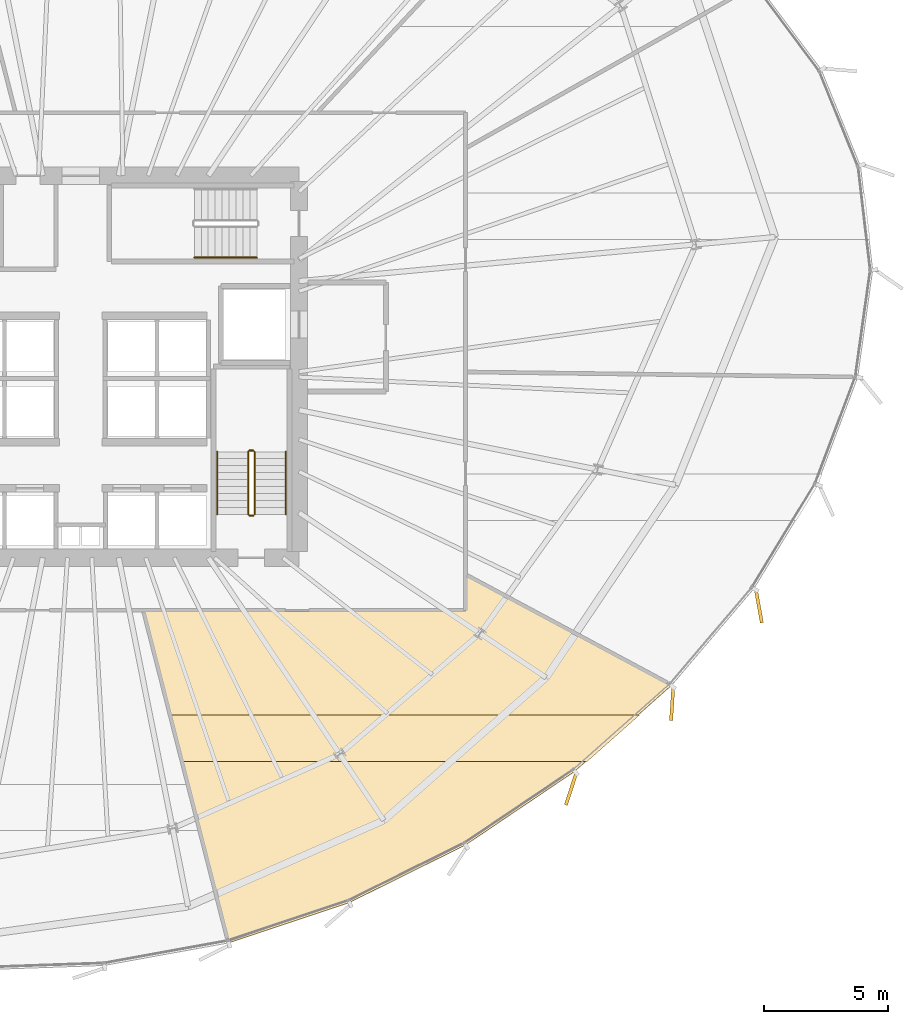
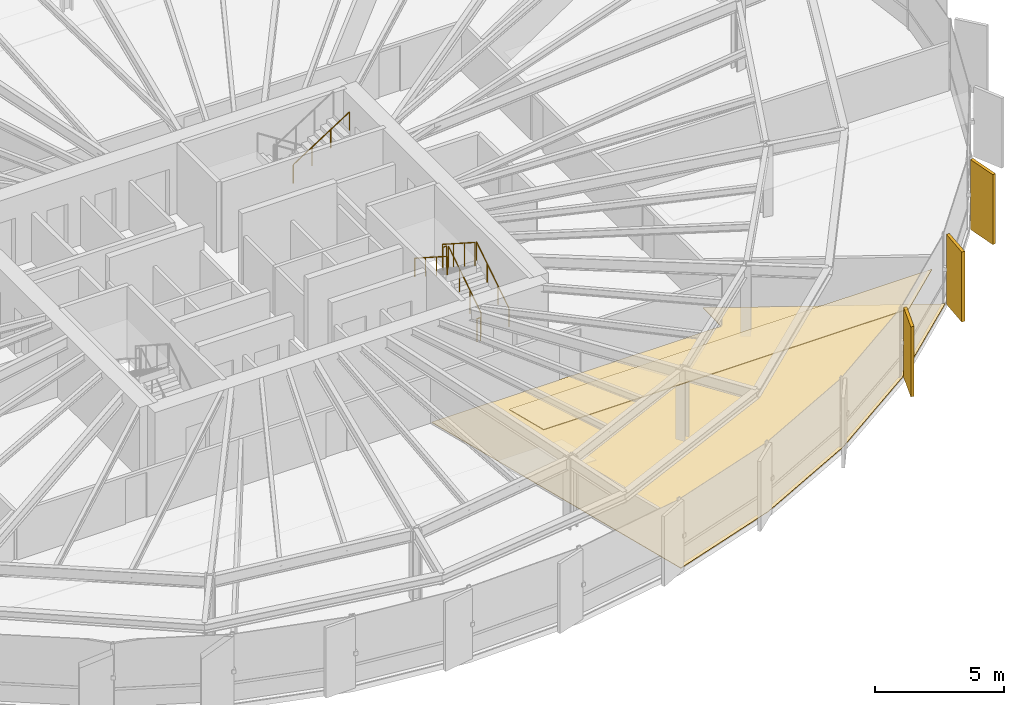
# One storey, part 33 of 35: 7 railings, 5 coverings.
"""IFC4 building model written with IfcOpenShell, lengths in metres."""

from ifc_helpers import new_model, si_unit, direction, frame, origin, origin_2d, place, context, subcontext, project, spatial, polyline, rectangle, circle, outline, extrude, source, transform, mapped, material, layer, layer_set, type_object, element, save


model = new_model("IFC4")

# Units and contexts
model_context = context("Model", 3, precision=1e-05, world=origin(), true_north=direction((0.0, 1.0)))
body_context = subcontext(model_context, "Body", "Model", "MODEL_VIEW")
ifc_project = project(units=[si_unit("LENGTHUNIT", "METRE"), si_unit("AREAUNIT", "SQUARE_METRE"), si_unit("VOLUMEUNIT", "CUBIC_METRE"), si_unit("PLANEANGLEUNIT", "RADIAN"), si_unit("MASSUNIT", "GRAM", prefix="KILO"), si_unit("THERMODYNAMICTEMPERATUREUNIT", "KELVIN")], contexts=[model_context])

# Site, building, storey
site_placement = place(None, origin())
site = spatial("IfcSite", under=ifc_project, at=site_placement, CompositionType="ELEMENT")
building_placement = place(site_placement, origin())
building = spatial("IfcBuilding", under=site, at=building_placement, Name="Kethvar Cultural Tower", CompositionType="ELEMENT")
storey_placement = place(building_placement, frame((0.0, 0.0, 92.800048828125)))
storey = spatial("IfcBuildingStorey", under=building, at=storey_placement, Name="L22", CompositionType="ELEMENT", Elevation=92.800048828125)

# Coverings
ifc_material_1 = material(Name="Acoustic Mineral Fibre Ceiling")
ifc_layer_1 = layer(ifc_material_1, 0.0400390625, Name="Acoustic Mineral Fibre Ceiling")
ifc_layer_set_1 = layer_set([ifc_layer_1], Name="Acoustic Mineral Fibre Ceiling (40 mm)")
covering_type_1 = type_object("IfcCoveringType", Name="CV-ACOUSTIC-CEIL", PredefinedType="CEILING", material=ifc_layer_set_1)
covering_1_placement = place(storey_placement, frame((0.0, 0.0, 2.780029296875)))
element("IfcCovering", 1, at=covering_1_placement, inside=storey, type_object=covering_type_1, Name="L22 Room 03 Acoustic Ceiling Panel", PredefinedType="CEILING", context=body_context, shape_type="SweptSolid", body=[
    extrude(outline(polyline([(50.385009765625, 13.75732421875), (69.330322265625, 13.75732421875), (67.22216796875, 11.88720703125), (50.864990234375, 11.88720703125), (50.385009765625, 13.75732421875)])), origin(), (0.0, 0.0, 1.0), 0.0400390625),
])
ifc_material_2 = material(Name="Architectural Oak Timber", Category="wood")
ifc_layer_2 = layer(ifc_material_2, 0.02490234375, Name="Architectural Oak Timber", Category="wood")
ifc_layer_set_2 = layer_set([ifc_layer_2], Name="Architectural Oak Timber (25 mm)")
covering_type_2 = type_object("IfcCoveringType", Name="CV-OAK-FLOOR", PredefinedType="FLOORING", material=ifc_layer_set_2)
covering_2_placement = place(storey_placement, origin())
element("IfcCovering", 2, at=covering_2_placement, inside=storey, type_object=covering_type_2, Name="L22 Room 03 Floor Finish", PredefinedType="FLOORING", context=body_context, shape_type="SweptSolid", body=[
    extrude(outline(polyline([(66.6845703125, 11.4638671875), (62.310302734375, 8.51611328125), (57.63427734375, 6.197998046875), (52.783203125, 4.577880859375), (49.34716796875, 17.9599609375), (62.31201171875, 17.960205078125), (62.330078125, 19.392578125), (70.593505859375, 14.930908203125), (66.6845703125, 11.4638671875)])), origin(), (0.0, 0.0, 1.0), 0.02490234375),
])

# Railings
ifc_material_3 = material(Name="Steel S355J2", Category="steel")
railing_type_1 = type_object("IfcRailingType", Name="RL-STAIR-GUARD", PredefinedType="BALUSTRADE", material=ifc_material_3)
railing_1_placement = place(storey_placement, frame((53.81005859375, 21.85009765625, 0.179931640625)))
element("IfcRailing", 3, at=railing_1_placement, inside=storey, type_object=railing_type_1, Name="L22 ST-02 stair guard 1", PredefinedType="BALUSTRADE", context=body_context, shape_type="SweptSolid", body=[
    extrude(circle(Radius=0.02392578125, at=origin_2d()), frame((0.0, 0.0, 1.09619140625), z_axis=(0.0, 0.841162588446, 0.540782303519), x_axis=(-1.0, 0.0, 0.0)), (0.0, 0.0, 1.0), 2.995849609375),
    extrude(circle(Radius=0.02099609375, at=origin_2d()), origin(), (0.0, 0.0, 1.0), 1.072021484375),
    extrude(circle(Radius=0.02099609375, at=origin_2d()), frame((0.0, 0.840087890625, 0.5400390625)), (0.0, 0.0, 1.0), 1.072021484375),
    extrude(circle(Radius=0.02099609375, at=origin_2d()), frame((0.0, 1.679931640625, 1.080078125)), (0.0, 0.0, 1.0), 1.072021484375),
    extrude(circle(Radius=0.02099609375, at=origin_2d()), frame((0.0, 2.52001953125, 1.6201171875)), (0.0, 0.0, 1.0), 1.072021484375),
])
railing_2_placement = place(storey_placement, frame((53.760009765625, 24.419921875, 1.800048828125)))
element("IfcRailing", 4, at=railing_2_placement, inside=storey, type_object=railing_type_1, Name="L22 ST-02 stair guard 2", PredefinedType="BALUSTRADE", context=body_context, shape_type="SweptSolid", body=[
    extrude(circle(Radius=0.02392578125, at=origin_2d()), frame((0.0, 0.0, 1.09619140625), z_axis=(-1.0, 0.0, 0.0), x_axis=(0.0, -1.0, 0.0)), (0.0, 0.0, 1.0), 0.159912109375),
    extrude(circle(Radius=0.02099609375, at=origin_2d()), origin(), (0.0, 0.0, 1.0), 1.072021484375),
    extrude(circle(Radius=0.02099609375, at=origin_2d()), frame((-0.159912109375, 0.0, 0.0)), (0.0, 0.0, 1.0), 1.072021484375),
])
railing_3_placement = place(storey_placement, frame((53.550048828125, 24.3701171875, 1.97998046875)))
element("IfcRailing", 5, at=railing_3_placement, inside=storey, type_object=railing_type_1, Name="L22 ST-02 stair guard 3", PredefinedType="BALUSTRADE", context=body_context, shape_type="SweptSolid", body=[
    extrude(circle(Radius=0.02392578125, at=origin_2d()), frame((0.0, 0.0, 1.09619140625), z_axis=(0.0, -0.841199657755, 0.540724639528), x_axis=(1.0, 0.0, 0.0)), (0.0, 0.0, 1.0), 2.995849609375),
    extrude(circle(Radius=0.02099609375, at=origin_2d()), origin(), (0.0, 0.0, 1.0), 1.072021484375),
    extrude(circle(Radius=0.02099609375, at=origin_2d()), frame((0.0, -0.840087890625, 0.5400390625)), (0.0, 0.0, 1.0), 1.072021484375),
    extrude(circle(Radius=0.02099609375, at=origin_2d()), frame((0.0, -1.679931640625, 1.079833984375)), (0.0, 0.0, 1.0), 1.072021484375),
    extrude(circle(Radius=0.02099609375, at=origin_2d()), frame((0.0, -2.52001953125, 1.619873046875)), (0.0, 0.0, 1.0), 1.072021484375),
])
railing_4_placement = place(storey_placement, frame((53.760009765625, 21.800048828125, 0.0)))
element("IfcRailing", 6, at=railing_4_placement, inside=storey, type_object=railing_type_1, Name="L22 ST-02 stair guard 4", PredefinedType="BALUSTRADE", context=body_context, shape_type="SweptSolid", body=[
    extrude(circle(Radius=0.02392578125, at=origin_2d()), frame((0.0, 0.0, 1.09619140625), z_axis=(-1.0, 0.0, 0.0), x_axis=(0.0, -1.0, 0.0)), (0.0, 0.0, 1.0), 0.159912109375),
    extrude(circle(Radius=0.02099609375, at=origin_2d()), origin(), (0.0, 0.0, 1.0), 1.072021484375),
    extrude(circle(Radius=0.02099609375, at=origin_2d()), frame((-0.159912109375, 0.0, 0.0)), (0.0, 0.0, 1.0), 1.072021484375),
])
railing_type_2 = type_object("IfcRailingType", Name="RL-STAIR-HANDRAIL", PredefinedType="HANDRAIL", material=ifc_material_3)
railing_5_placement = place(storey_placement, frame((55.06005859375, 21.85009765625, 0.179931640625)))
element("IfcRailing", 7, at=railing_5_placement, inside=storey, type_object=railing_type_2, Name="L22 ST-02 stair handrail 1", PredefinedType="HANDRAIL", context=body_context, shape_type="SweptSolid", body=[
    extrude(circle(Radius=0.02392578125, at=origin_2d()), frame((0.0, 0.0, 0.8759765625), z_axis=(0.0, 0.841162588446, 0.540782303519), x_axis=(-1.0, 0.0, 0.0)), (0.0, 0.0, 1.0), 2.995849609375),
    extrude(circle(Radius=0.02099609375, at=origin_2d()), origin(), (0.0, 0.0, 1.0), 0.851806640625),
    extrude(circle(Radius=0.02099609375, at=origin_2d()), frame((0.0, 0.840087890625, 0.5400390625)), (0.0, 0.0, 1.0), 0.851806640625),
    extrude(circle(Radius=0.02099609375, at=origin_2d()), frame((0.0, 1.679931640625, 1.080078125)), (0.0, 0.0, 1.0), 0.851806640625),
    extrude(circle(Radius=0.02099609375, at=origin_2d()), frame((0.0, 2.52001953125, 1.6201171875)), (0.0, 0.0, 1.0), 0.851806640625),
])
railing_6_placement = place(storey_placement, frame((52.300048828125, 24.3701171875, 1.97998046875)))
element("IfcRailing", 8, at=railing_6_placement, inside=storey, type_object=railing_type_2, Name="L22 ST-02 stair handrail 2", PredefinedType="HANDRAIL", context=body_context, shape_type="SweptSolid", body=[
    extrude(circle(Radius=0.02392578125, at=origin_2d()), frame((0.0, 0.0, 0.8759765625), z_axis=(0.0, -0.841199657755, 0.540724639528), x_axis=(1.0, 0.0, 0.0)), (0.0, 0.0, 1.0), 2.995849609375),
    extrude(circle(Radius=0.02099609375, at=origin_2d()), origin(), (0.0, 0.0, 1.0), 0.851806640625),
    extrude(circle(Radius=0.02099609375, at=origin_2d()), frame((0.0, -0.840087890625, 0.5400390625)), (0.0, 0.0, 1.0), 0.851806640625),
    extrude(circle(Radius=0.02099609375, at=origin_2d()), frame((0.0, -1.679931640625, 1.079833984375)), (0.0, 0.0, 1.0), 0.851806640625),
    extrude(circle(Radius=0.02099609375, at=origin_2d()), frame((0.0, -2.52001953125, 1.619873046875)), (0.0, 0.0, 1.0), 0.851806640625),
])
railing_7_placement = place(storey_placement, frame((51.3798828125, 32.199951171875, 1.97998046875)))
element("IfcRailing", 9, at=railing_7_placement, inside=storey, type_object=railing_type_2, Name="L22 ST-03 stair handrail 2", PredefinedType="HANDRAIL", context=body_context, shape_type="SweptSolid", body=[
    extrude(circle(Radius=0.02392578125, at=origin_2d()), frame((0.0, 0.0, 0.8759765625), z_axis=(0.841199657755, 0.0, 0.540724639528), x_axis=(0.0, 1.0, 0.0)), (0.0, 0.0, 1.0), 2.995849609375),
    extrude(circle(Radius=0.02099609375, at=origin_2d()), origin(), (0.0, 0.0, 1.0), 0.851806640625),
    extrude(circle(Radius=0.02099609375, at=origin_2d()), frame((0.840087890625, 0.0, 0.5400390625)), (0.0, 0.0, 1.0), 0.851806640625),
    extrude(circle(Radius=0.02099609375, at=origin_2d()), frame((1.679931640625, 0.0, 1.079833984375)), (0.0, 0.0, 1.0), 0.851806640625),
    extrude(circle(Radius=0.02099609375, at=origin_2d()), frame((2.52001953125, 0.0, 1.619873046875)), (0.0, 0.0, 1.0), 0.851806640625),
])

# Coverings
ifc_material_4 = material(Name="Extruded Architectural Terracotta", Category="masonry")
ifc_layer_3 = layer(ifc_material_4, 0.135009765625, Name="Extruded Architectural Terracotta", Category="masonry")
ifc_layer_set_3 = layer_set([ifc_layer_3], Name="Extruded Architectural Terracotta (135 mm)")
covering_type_3 = type_object("IfcCoveringType", Name="Terracotta Facade Fin FIN-02", PredefinedType="CLADDING", material=ifc_layer_set_3)
shared_shape = source(origin(), body_context, "Body", "SweptSolid", [
    extrude(rectangle(XDim=1.35009765625, YDim=0.135009765625, at=origin_2d()), origin(), (0.0, 0.0, 1.0), 3.31005859375),
])
for number, where, z_axis, x_axis, name in (
    (10, (66.569580078125, 10.772216796875, 0.02001953125), (0.0, 0.0, 1.0), (-0.310178698193, -0.950678271124, 0.0), "L22 Vertical Terracotta Fin 6.1"),
    (11, (70.64501953125, 14.209716796875, 0.02001953125), (0.0, 0.0, 1.0), (-0.065228968998, -0.99787032304, 0.0), "L22 Vertical Terracotta Fin 6.2"),
    (12, (74.140625, 18.13720703125, 0.02001953125), (0.0, 0.0, 1.0), (0.176741180461, -0.984257362243, 0.0), "L22 Vertical Terracotta Fin 6.3"),
):
    element("IfcCovering", number, at=place(storey_placement, frame(where, z_axis=z_axis, x_axis=x_axis)), inside=storey, type_object=covering_type_3, Name=name, PredefinedType="CLADDING", context=body_context, shape_type="MappedRepresentation", body=[
        mapped(shared_shape, transform((0.0, 0.0, 0.0), scale=1.0)),
    ])

save(model, "model.ifc")
